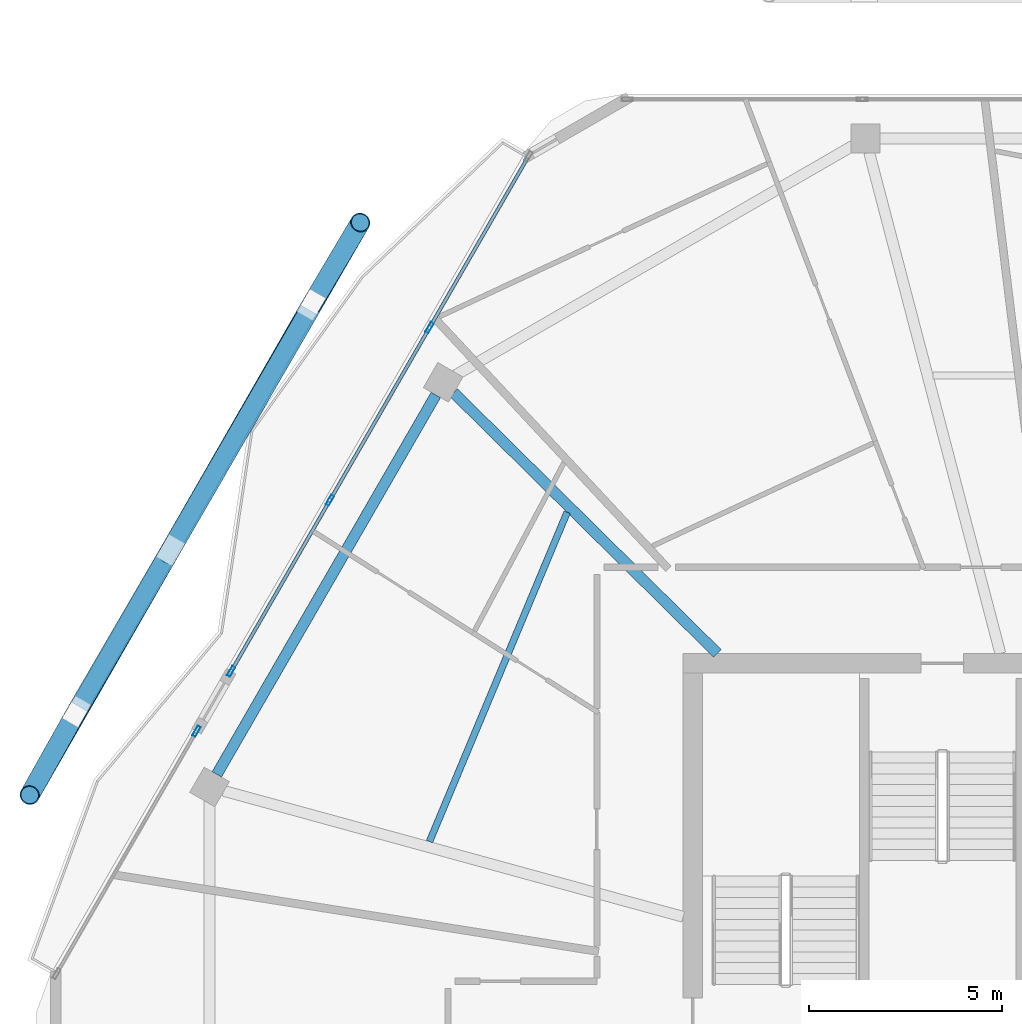
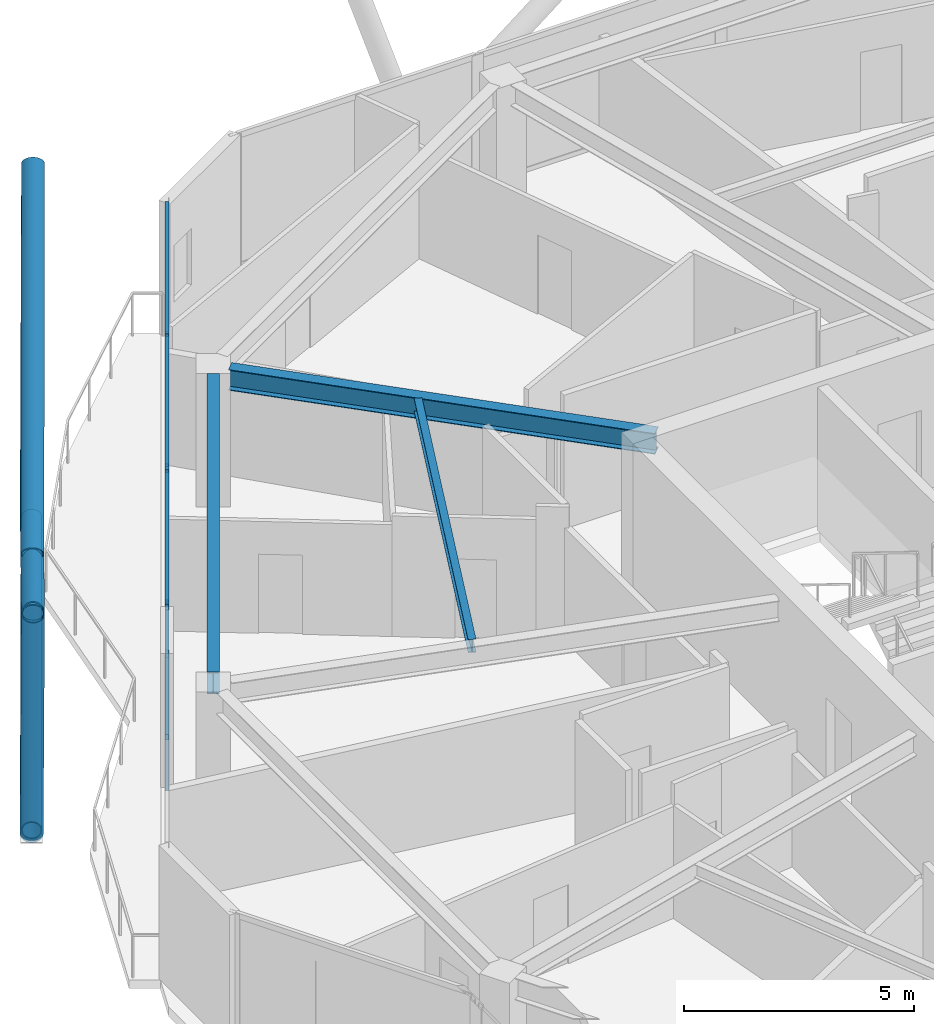
# One storey, part 10 of 24: 16 members, 3 beams, 2 elements without a shape of their own.
"""IFC4 building model written with IfcOpenShell, lengths in metres."""

from ifc_helpers import new_model, si_unit, direction, frame, origin, origin_2d, place, context, subcontext, project, spatial, hollow_rectangle, hollow_circle, i_section, extrude, material, material_profile, profile_set, type_object, element, aggregate, save


model = new_model("IFC4")

# Units and contexts
model_context = context("Model", 3, precision=1e-05, world=origin(), true_north=direction((0.0, 1.0)))
body_context = subcontext(model_context, "Body", "Model", "MODEL_VIEW")
ifc_project = project(units=[si_unit("LENGTHUNIT", "METRE"), si_unit("AREAUNIT", "SQUARE_METRE"), si_unit("VOLUMEUNIT", "CUBIC_METRE"), si_unit("PLANEANGLEUNIT", "RADIAN"), si_unit("MASSUNIT", "GRAM", prefix="KILO")], contexts=[model_context])

# Site, building, storey
site_placement = place(None, origin())
site = spatial("IfcSite", under=ifc_project, at=site_placement, CompositionType="ELEMENT")
building_placement = place(site_placement, origin())
building = spatial("IfcBuilding", under=site, at=building_placement, Name="Zuhravey Tower", CompositionType="ELEMENT")
storey_placement = place(building_placement, frame((0.0, 0.0, 338.60009765625)))
storey = spatial("IfcBuildingStorey", under=building, at=storey_placement, Name="L86", CompositionType="ELEMENT", Elevation=338.60009765625)

# Curtain wall, member
ifc_material_1 = material(Name="Thermally broken anodised aluminium", Category="aluminium")
curtain_wall_type = type_object("IfcCurtainWallType", Name="Zone 3-4 High-Rise Curtain Wall CW4", PredefinedType="NOTDEFINED", material=ifc_material_1)
curtain_wall_1_placement = place(storey_placement, origin())
curtain_wall_1 = element("IfcCurtainWall", 1, at=curtain_wall_1_placement, inside=storey, type_object=curtain_wall_type, Name="L86 CW4 CW-L86-F3-1", PredefinedType="NOTDEFINED")
ifc_material_2 = material(Name="Anodised aluminium", Category="aluminium")
ifc_material_profile_1 = material_profile(ifc_material_2, hollow_rectangle(XDim=0.090087890625, YDim=0.284912109375, WallThickness=0.0048828125, at=origin_2d()), Name="ALU-RHS-90x285x5")
ifc_profile_set_1 = profile_set([ifc_material_profile_1], Name="Anodised aluminium")
member_type_1 = type_object("IfcMemberType", Name="Curtain-Wall Mullion 90x180", PredefinedType="MULLION", material=ifc_profile_set_1)
member_1_placement = place(storey_placement, frame((12.6708984375, 39.74072265625, 0.0), z_axis=(0.0, 0.0, 1.0), x_axis=(-0.866027095536, 0.499997069789, 0.0)))
member_1 = element("IfcMember", 2, at=member_1_placement, type_object=member_type_1, Name="CW4 mullion 2", PredefinedType="MULLION", context=body_context, shape_type="SweptSolid", body=[
    extrude(hollow_rectangle(XDim=0.090087890625, YDim=0.284912109375, WallThickness=0.0048828125, at=origin_2d()), origin(), (0.0, 0.0, 1.0), 3.5498046875),
])
aggregate(curtain_wall_1, [member_1])

# Curtain wall, members
curtain_wall_2_placement = place(storey_placement, origin())
curtain_wall_2 = element("IfcCurtainWall", 3, at=curtain_wall_2_placement, inside=storey, type_object=curtain_wall_type, Name="L86 CW4 CW-L86-F3-2", PredefinedType="NOTDEFINED")
member_2_placement = place(storey_placement, frame((13.56591796875, 41.291015625, 0.0), z_axis=(0.0, 0.0, 1.0), x_axis=(-0.866023853797, 0.500002684647, 0.0)))
member_2 = element("IfcMember", 4, at=member_2_placement, type_object=member_type_1, Name="CW4 mullion 1", PredefinedType="MULLION", context=body_context, shape_type="SweptSolid", body=[
    extrude(hollow_rectangle(XDim=0.090087890625, YDim=0.284912109375, WallThickness=0.0048828125, at=origin_2d()), origin(), (0.0, 0.0, 1.0), 3.5498046875),
])
member_3_placement = place(storey_placement, frame((16.119140625, 45.713623046875, 0.0), z_axis=(0.0, 0.0, 1.0), x_axis=(-0.866023853797, 0.500002684647, 0.0)))
member_3 = element("IfcMember", 5, at=member_3_placement, type_object=member_type_1, Name="CW4 mullion 2", PredefinedType="MULLION", context=body_context, shape_type="SweptSolid", body=[
    extrude(hollow_rectangle(XDim=0.090087890625, YDim=0.284912109375, WallThickness=0.0048828125, at=origin_2d()), origin(), (0.0, 0.0, 1.0), 3.5498046875),
])
member_4_placement = place(storey_placement, frame((18.695068359375, 50.175048828125, 0.0), z_axis=(0.0, 0.0, 1.0), x_axis=(-0.866023853797, 0.500002684647, 0.0)))
member_4 = element("IfcMember", 6, at=member_4_placement, type_object=member_type_1, Name="CW4 mullion 3", PredefinedType="MULLION", context=body_context, shape_type="SweptSolid", body=[
    extrude(hollow_rectangle(XDim=0.090087890625, YDim=0.284912109375, WallThickness=0.0048828125, at=origin_2d()), origin(), (0.0, 0.0, 1.0), 3.5498046875),
])
ifc_material_profile_2 = material_profile(ifc_material_2, hollow_rectangle(XDim=0.090087890625, YDim=0.14990234375, WallThickness=0.0048828125, at=origin_2d()), Name="ALU-RHS-90x150x5")
ifc_profile_set_2 = profile_set([ifc_material_profile_2], Name="Anodised aluminium")
member_type_2 = type_object("IfcMemberType", Name="Curtain-Wall Transom 90x150", PredefinedType="USERDEFINED", material=ifc_profile_set_2)
member_5_placement = place(storey_placement, frame((13.58837890625, 41.330078125, 0.044921875), z_axis=(0.500001896533, 0.866024308818, 0.0), x_axis=(-0.866024308818, 0.500001896533, 0.0)))
member_5 = element("IfcMember", 7, at=member_5_placement, type_object=member_type_2, Name="CW4 transom 1.1", ObjectType="TRANSOM", PredefinedType="USERDEFINED", context=body_context, shape_type="SweptSolid", body=[
    extrude(hollow_rectangle(XDim=0.090087890625, YDim=0.14990234375, WallThickness=0.0048828125, at=origin_2d()), origin(), (0.0, 0.0, 1.0), 5.0166015625),
])
member_6_placement = place(storey_placement, frame((13.58837890625, 41.330078125, 3.5048828125), z_axis=(0.500001896533, 0.866024308818, 0.0), x_axis=(-0.866024308818, 0.500001896533, 0.0)))
member_6 = element("IfcMember", 8, at=member_6_placement, type_object=member_type_2, Name="CW4 transom 1.2", ObjectType="TRANSOM", PredefinedType="USERDEFINED", context=body_context, shape_type="SweptSolid", body=[
    extrude(hollow_rectangle(XDim=0.090087890625, YDim=0.14990234375, WallThickness=0.0048828125, at=origin_2d()), origin(), (0.0, 0.0, 1.0), 5.0166015625),
])
member_7_placement = place(storey_placement, frame((16.1416015625, 45.752685546875, 0.044921875), z_axis=(0.500024450573, 0.866011286779, 0.0), x_axis=(-0.866011286779, 0.500024450573, 0.0)))
member_7 = element("IfcMember", 9, at=member_7_placement, type_object=member_type_2, Name="CW4 transom 2.1", ObjectType="TRANSOM", PredefinedType="USERDEFINED", context=body_context, shape_type="SweptSolid", body=[
    extrude(hollow_rectangle(XDim=0.090087890625, YDim=0.14990234375, WallThickness=0.0048828125, at=origin_2d()), origin(), (0.0, 0.0, 1.0), 5.061767578125),
])
member_8_placement = place(storey_placement, frame((16.1416015625, 45.752685546875, 3.5048828125), z_axis=(0.500024450573, 0.866011286779, 0.0), x_axis=(-0.866011286779, 0.500024450573, 0.0)))
member_8 = element("IfcMember", 10, at=member_8_placement, type_object=member_type_2, Name="CW4 transom 2.2", ObjectType="TRANSOM", PredefinedType="USERDEFINED", context=body_context, shape_type="SweptSolid", body=[
    extrude(hollow_rectangle(XDim=0.090087890625, YDim=0.14990234375, WallThickness=0.0048828125, at=origin_2d()), origin(), (0.0, 0.0, 1.0), 5.061767578125),
])
member_9_placement = place(storey_placement, frame((18.717529296875, 50.214111328125, 0.044921875), z_axis=(0.500001896533, 0.866024308818, 0.0), x_axis=(-0.866024308818, 0.500001896533, 0.0)))
member_9 = element("IfcMember", 11, at=member_9_placement, type_object=member_type_2, Name="CW4 transom 3.1", ObjectType="TRANSOM", PredefinedType="USERDEFINED", context=body_context, shape_type="SweptSolid", body=[
    extrude(hollow_rectangle(XDim=0.090087890625, YDim=0.14990234375, WallThickness=0.0048828125, at=origin_2d()), origin(), (0.0, 0.0, 1.0), 5.0166015625),
])
member_10_placement = place(storey_placement, frame((18.717529296875, 50.214111328125, 3.5048828125), z_axis=(0.500001896533, 0.866024308818, 0.0), x_axis=(-0.866024308818, 0.500001896533, 0.0)))
member_10 = element("IfcMember", 12, at=member_10_placement, type_object=member_type_2, Name="CW4 transom 3.2", ObjectType="TRANSOM", PredefinedType="USERDEFINED", context=body_context, shape_type="SweptSolid", body=[
    extrude(hollow_rectangle(XDim=0.090087890625, YDim=0.14990234375, WallThickness=0.0048828125, at=origin_2d()), origin(), (0.0, 0.0, 1.0), 5.0166015625),
])
aggregate(curtain_wall_2, [member_2, member_3, member_4, member_5, member_6, member_7, member_8, member_9, member_10])

# Members
ifc_material_3 = material(Name="Steel SM355", Category="steel")
ifc_material_profile_3 = material_profile(ifc_material_3, hollow_circle(Radius=0.228515625, WallThickness=0.02197265625, at=origin_2d()), Name="CHS-457.2x22")
ifc_profile_set_3 = profile_set([ifc_material_profile_3], Name="Steel SM355")
member_type_3 = type_object("IfcMemberType", Name="Exoskeleton Ring Tie CHS457x22", PredefinedType="CHORD", material=ifc_profile_set_3)
member_11_placement = place(storey_placement, frame((15.56884765625, 50.640380859375, -0.464111328125), z_axis=(-0.499988670204, -0.866031944946, 0.0), x_axis=(0.866031944946, -0.499988670204, 0.0)))
element("IfcMember", 13, at=member_11_placement, inside=storey, type_object=member_type_3, Name="L86 Exoskeleton Face 3 Tie EXR1", PredefinedType="CHORD", context=body_context, shape_type="SweptSolid", body=[
    extrude(hollow_circle(Radius=0.228515625, WallThickness=0.02197265625, at=origin_2d()), origin(), (0.0, 0.0, 1.0), 11.854736328125),
])
ifc_material_profile_4 = material_profile(ifc_material_3, hollow_circle(Radius=0.25390625, WallThickness=0.02490234375, at=origin_2d()), Name="CHS-508.0x25")
ifc_profile_set_4 = profile_set([ifc_material_profile_4], Name="Steel SM355")
member_type_4 = type_object("IfcMemberType", Name="Exoskeleton Zone 4 Diagrid CHS508x25", PredefinedType="BRACE", material=ifc_profile_set_4)
member_12_placement = place(storey_placement, frame((15.6416015625, 50.76611328125, -0.447998046875), z_axis=(0.158481485695, 0.266977518278, 0.95058225495), x_axis=(-0.859906229108, 0.510452032165, 0.0)))
element("IfcMember", 14, at=member_12_placement, inside=storey, type_object=member_type_4, Name="L86 Face 3 Diagrid Brace 1", PredefinedType="BRACE", context=body_context, shape_type="SweptSolid", body=[
    extrude(hollow_circle(Radius=0.25390625, WallThickness=0.02490234375, at=origin_2d()), origin(), (0.0, 0.0, 1.0), 7.961181640625),
])
member_13_placement = place(storey_placement, frame((15.62353515625, 50.73486328125, -0.447998046875), z_axis=(-0.442039906975, -0.769280102055, 0.461312090914), x_axis=(0.867050506959, -0.498220250875, 0.0)))
element("IfcMember", 15, at=member_13_placement, inside=storey, type_object=member_type_4, Name="L86 Face 3 Diagrid Brace 2", PredefinedType="BRACE", context=body_context, shape_type="SweptSolid", body=[
    extrude(hollow_circle(Radius=0.25390625, WallThickness=0.02490234375, at=origin_2d()), origin(), (0.0, 0.0, 1.0), 16.405029296875),
])
member_14_placement = place(storey_placement, frame((9.56884765625, 40.248046875, -0.447998046875), z_axis=(-0.151979558648, -0.270748087834, 0.950577554273), x_axis=(0.872010411555, -0.48948732582, 0.0)))
element("IfcMember", 16, at=member_14_placement, inside=storey, type_object=member_type_4, Name="L86 Face 3 Diagrid Brace 4", PredefinedType="BRACE", context=body_context, shape_type="SweptSolid", body=[
    extrude(hollow_circle(Radius=0.25390625, WallThickness=0.02490234375, at=origin_2d()), origin(), (0.0, 0.0, 1.0), 7.96142578125),
])
member_15_placement = place(storey_placement, frame((9.585205078125, 40.276123046875, -0.442626953125), z_axis=(0.394969635068, 0.679196229209, 0.618620618476), x_axis=(-0.864458456104, 0.502704264623, 0.0)))
element("IfcMember", 17, at=member_15_placement, inside=storey, type_object=member_type_4, Name="L86 Face 3 Split Diagrid Brace 3A", PredefinedType="BRACE", context=body_context, shape_type="SweptSolid", body=[
    extrude(hollow_circle(Radius=0.25390625, WallThickness=0.02490234375, at=origin_2d()), origin(), (0.0, 0.0, 1.0), 5.8642578125),
])
member_16_placement = place(storey_placement, frame((12.11181640625, 44.62158203125, 3.424072265625), z_axis=(0.467342528939, 0.806637503448, 0.36183822169), x_axis=(-0.86526722954, 0.501310903017, 0.0)))
element("IfcMember", 18, at=member_16_placement, inside=storey, type_object=member_type_4, Name="L86 Face 3 Split Diagrid Brace 3B", PredefinedType="BRACE", context=body_context, shape_type="SweptSolid", body=[
    extrude(hollow_circle(Radius=0.25390625, WallThickness=0.02490234375, at=origin_2d()), origin(), (0.0, 0.0, 1.0), 10.223388671875),
])

# Beams
ifc_material_profile_5 = material_profile(ifc_material_3, i_section(OverallWidth=0.280029296875, OverallDepth=0.580078125, WebThickness=0.011962890625, FlangeThickness=0.01904296875, at=origin_2d()), Name="H-580x280x12x19")
ifc_profile_set_5 = profile_set([ifc_material_profile_5], Name="Steel SM355")
beam_type_1 = type_object("IfcBeamType", Name="Perimeter Ring Beam H580x280", PredefinedType="BEAM", material=ifc_profile_set_5)
beam_1_placement = place(storey_placement, frame((18.856201171875, 48.434326171875, 3.260009765625), z_axis=(-0.499993743963, -0.866029015679, 0.0), x_axis=(0.866029015679, -0.499993743963, 0.0)))
element("IfcBeam", 19, at=beam_1_placement, inside=storey, type_object=beam_type_1, Name="L86 PB4 BM-L86-PB-05", PredefinedType="BEAM", context=body_context, shape_type="SweptSolid", body=[
    extrude(i_section(OverallWidth=0.280029296875, OverallDepth=0.580078125, WebThickness=0.011962890625, FlangeThickness=0.01904296875, at=origin_2d()), origin(), (0.0, 0.0, 1.0), 11.321533203125),
])
ifc_material_profile_6 = material_profile(ifc_material_3, i_section(OverallWidth=0.280029296875, OverallDepth=0.550048828125, WebThickness=0.010986328125, FlangeThickness=0.01806640625, at=origin_2d()), Name="H-550x280x11x18")
ifc_profile_set_6 = profile_set([ifc_material_profile_6], Name="Steel SM355")
beam_type_2 = type_object("IfcBeamType", Name="Radial Primary Girder H550x280", PredefinedType="BEAM", material=ifc_profile_set_6)
beam_2_placement = place(storey_placement, frame((26.134765625, 41.7529296875, 3.27490234375), z_axis=(-0.711142578304, 0.703047817238, 0.0), x_axis=(-0.703047817238, -0.711142578304, 0.0)))
element("IfcBeam", 20, at=beam_2_placement, inside=storey, type_object=beam_type_2, Name="L86 RG4 BM-L86-RAD-05", PredefinedType="BEAM", context=body_context, shape_type="SweptSolid", body=[
    extrude(i_section(OverallWidth=0.280029296875, OverallDepth=0.550048828125, WebThickness=0.010986328125, FlangeThickness=0.01806640625, at=origin_2d()), origin(), (0.0, 0.0, 1.0), 9.591064453125),
])
ifc_material_profile_7 = material_profile(ifc_material_3, i_section(OverallWidth=0.175048828125, OverallDepth=0.35009765625, WebThickness=0.007080078125, FlangeThickness=0.010986328125, at=origin_2d()), Name="H-350x175x7x11")
ifc_profile_set_7 = profile_set([ifc_material_profile_7], Name="Steel SM355")
beam_type_3 = type_object("IfcBeamType", Name="Secondary Floor Joist H350x175", PredefinedType="JOIST", material=ifc_profile_set_7)
beam_3_placement = place(storey_placement, frame((22.2509765625, 45.40478515625, 3.375), z_axis=(-0.385657891576, -0.922641853953, 0.0), x_axis=(0.922641853953, -0.385657891576, 0.0)))
element("IfcBeam", 21, at=beam_3_placement, inside=storey, type_object=beam_type_3, Name="L86 SJ3 BM-L86-SJ-05-1", PredefinedType="JOIST", context=body_context, shape_type="SweptSolid", body=[
    extrude(i_section(OverallWidth=0.175048828125, OverallDepth=0.35009765625, WebThickness=0.007080078125, FlangeThickness=0.010986328125, at=origin_2d()), origin(), (0.0, 0.0, 1.0), 9.226806640625),
])

save(model, "model.ifc")
